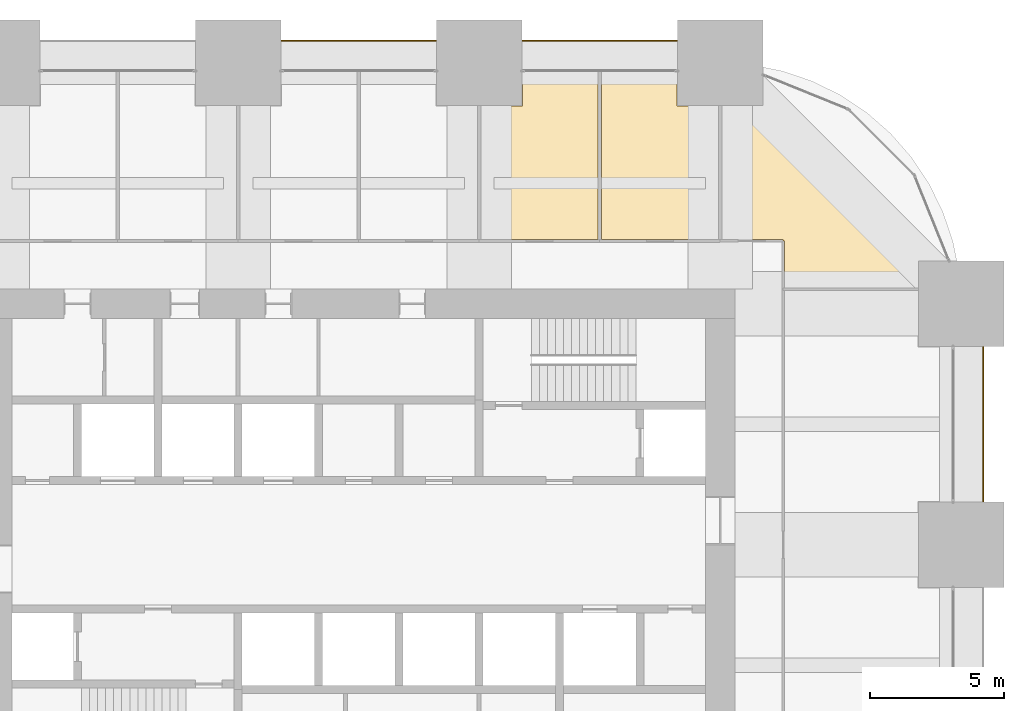
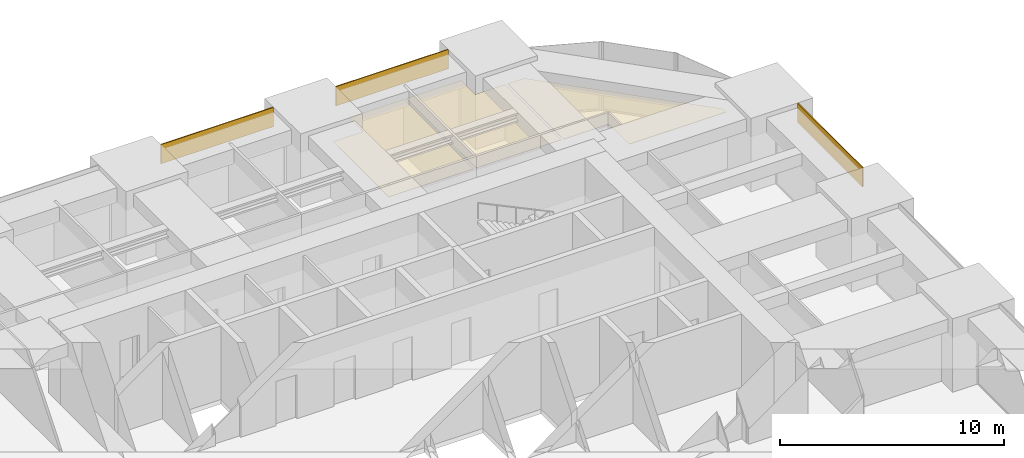
# One storey, part 36 of 36: 6 coverings.
"""IFC4 building model written with IfcOpenShell, lengths in metres."""

from ifc_helpers import new_model, si_unit, direction, frame, frame_2d, origin, place, context, subcontext, project, spatial, polyline, rectangle, outline, extrude, material, layer, layer_set, type_object, element, save


model = new_model("IFC4")

# Units and contexts
model_context = context("Model", 3, precision=1e-05, world=origin(), true_north=direction((0.0, 1.0)))
body_context = subcontext(model_context, "Body", "Model", "MODEL_VIEW")
ifc_project = project(units=[si_unit("LENGTHUNIT", "METRE"), si_unit("AREAUNIT", "SQUARE_METRE"), si_unit("VOLUMEUNIT", "CUBIC_METRE"), si_unit("PLANEANGLEUNIT", "RADIAN"), si_unit("MASSUNIT", "GRAM", prefix="KILO")], contexts=[model_context])

# Site, building, storey
site_placement = place(None, origin())
site = spatial("IfcSite", under=ifc_project, at=site_placement, CompositionType="ELEMENT")
building_placement = place(site_placement, origin())
building = spatial("IfcBuilding", under=site, at=building_placement, Name="Zorevar Civic Tower", CompositionType="ELEMENT")
storey_placement = place(building_placement, frame((0.0, 0.0, 166.199951171875)))
storey = spatial("IfcBuildingStorey", under=building, at=storey_placement, Name="L40", CompositionType="ELEMENT", Elevation=166.199951171875)

# Coverings
ifc_material_1 = material(Name="Black anodised aluminium spandrel panel", Category="aluminium")
ifc_layer_1 = layer(ifc_material_1, 0.050048828125)
ifc_layer_set_1 = layer_set([ifc_layer_1], Name="Spandrel cladding SP1")
covering_type_1 = type_object("IfcCoveringType", Name="Spandrel cladding SP1", PredefinedType="CLADDING", material=ifc_layer_set_1)
for number, where, z_axis, x_axis, name in (
    (1, (28.60009765625, 45.824951171875, 2.949951171875), (0.0, 0.0, 1.0), (1.0, 0.0, 0.0), "Spandrel cladding L41"),
    (2, (37.60009765625, 45.824951171875, 2.949951171875), (0.0, 0.0, 1.0), (1.0, 0.0, 0.0), "Spandrel cladding L41"),
    (3, (54.824951171875, 28.60009765625, 2.949951171875), (0.0, 0.0, 1.0), (0.0, 1.0, 0.0), "Spandrel cladding L41"),
):
    element("IfcCovering", number, at=place(storey_placement, frame(where, z_axis=z_axis, x_axis=x_axis)), inside=storey, type_object=covering_type_1, Name=name, PredefinedType="CLADDING", context=body_context, shape_type="SweptSolid", body=[
        extrude(rectangle(XDim=5.7998046875, YDim=0.050048828125, at=frame_2d((2.89990234375, 0.0))), origin(), (0.0, 0.0, 1.0), 1.050048828125),
    ])
ifc_material_2 = material(Name="Mineral fibre tiles on a concealed grid")
ifc_layer_2 = layer(ifc_material_2, 0.02001953125)
ifc_layer_set_2 = layer_set([ifc_layer_2], Name="Suspended ceiling SC1")
covering_type_2 = type_object("IfcCoveringType", Name="Suspended ceiling SC1", PredefinedType="CEILING", material=ifc_layer_set_2)
covering_1_placement = place(storey_placement, frame((0.0, 0.0, 3.0)))
element("IfcCovering", 4, at=covering_1_placement, inside=storey, type_object=covering_type_2, Name="Ceiling L40-31", PredefinedType="CEILING", context=body_context, shape_type="SweptSolid", body=[
    extrude(outline(polyline([(36.06005859375, 38.409912109375), (36.06005859375, 43.389892578125), (37.610107421875, 43.389892578125), (37.610107421875, 44.64990234375), (40.43994140625, 44.64990234375), (40.43994140625, 38.409912109375), (36.06005859375, 38.409912109375)])), origin(), (0.0, 0.0, 1.0), 0.02001953125),
])
covering_2_placement = place(storey_placement, frame((0.0, 0.0, 3.0)))
element("IfcCovering", 5, at=covering_2_placement, inside=storey, type_object=covering_type_2, Name="Ceiling L40-32", PredefinedType="CEILING", context=body_context, shape_type="SweptSolid", body=[
    extrude(outline(polyline([(40.56005859375, 38.409912109375), (40.56005859375, 44.64990234375), (43.389892578125, 44.64990234375), (43.389892578125, 43.389892578125), (44.93994140625, 43.389892578125), (44.93994140625, 38.409912109375), (40.56005859375, 38.409912109375)])), origin(), (0.0, 0.0, 1.0), 0.02001953125),
])
covering_3_placement = place(storey_placement, frame((0.0, 0.0, 3.0)))
element("IfcCovering", 6, at=covering_3_placement, inside=storey, type_object=covering_type_2, Name="Ceiling L40-44", PredefinedType="CEILING", context=body_context, shape_type="SweptSolid", body=[
    extrude(outline(polyline([(52.389892578125, 36.60009765625), (47.39990234375, 36.60009765625), (47.39990234375, 38.35009765625), (47.35009765625, 38.35009765625), (47.35009765625, 38.39990234375), (45.06005859375, 38.39990234375), (45.06005859375, 43.389892578125), (45.90283203125, 43.389892578125), (52.389892578125, 36.90283203125), (52.389892578125, 36.60009765625)])), origin(), (0.0, 0.0, 1.0), 0.02001953125),
])

save(model, "model.ifc")
